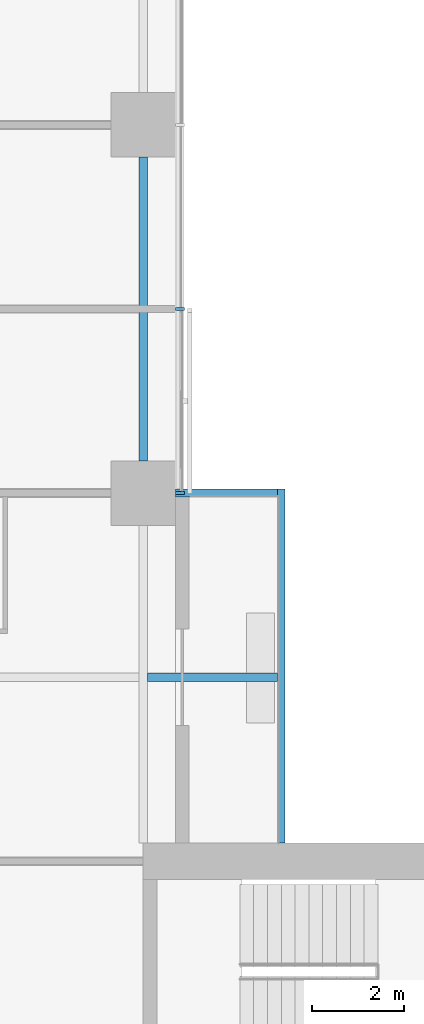
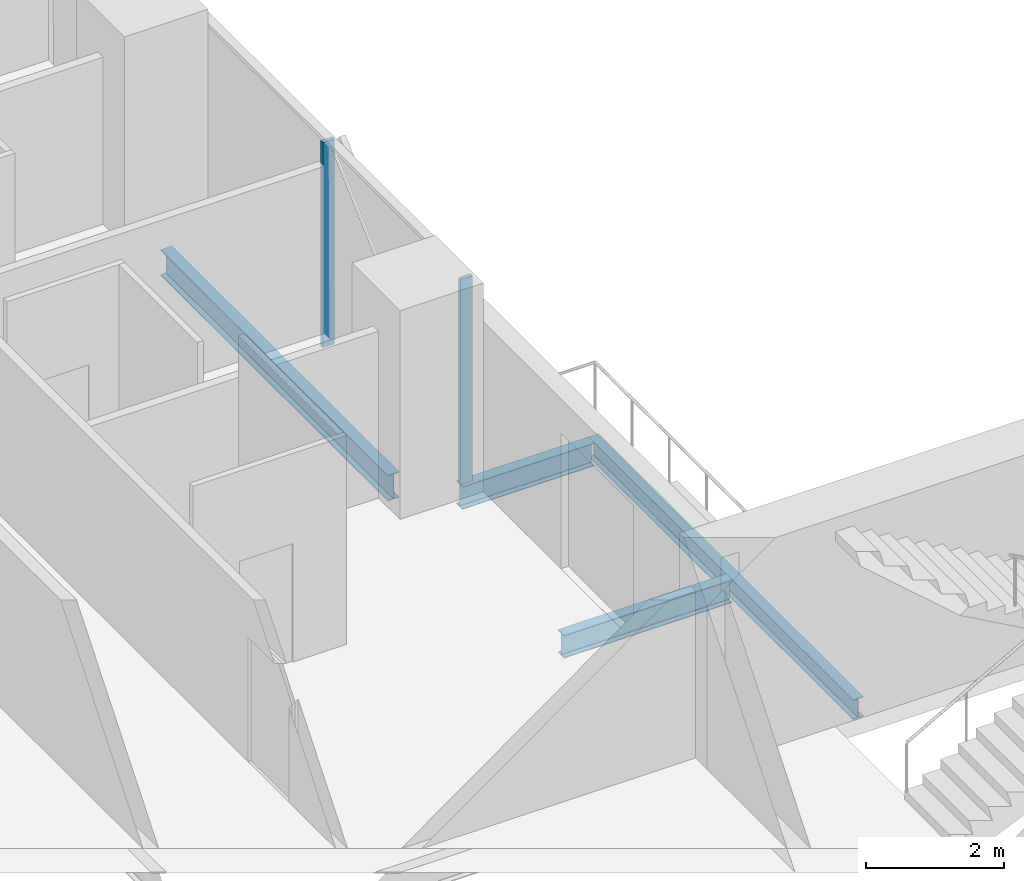
# One storey, part 10 of 29: 4 beams, 2 members, 1 element without a shape of its own.
"""IFC4 building model written with IfcOpenShell, lengths in metres."""

from ifc_helpers import new_model, si_unit, direction, frame, origin, origin_2d, place, context, subcontext, project, spatial, rectangle, i_section, extrude, material, material_profile, profile_set, type_object, element, aggregate, save


model = new_model("IFC4")

# Units and contexts
model_context = context("Model", 3, precision=1e-05, world=origin(), true_north=direction((0.0, 1.0)))
body_context = subcontext(model_context, "Body", "Model", "MODEL_VIEW")
ifc_project = project(units=[si_unit("LENGTHUNIT", "METRE"), si_unit("AREAUNIT", "SQUARE_METRE"), si_unit("VOLUMEUNIT", "CUBIC_METRE"), si_unit("PLANEANGLEUNIT", "RADIAN"), si_unit("MASSUNIT", "GRAM", prefix="KILO")], contexts=[model_context])

# Site, building, storey
site_placement = place(None, origin())
site = spatial("IfcSite", under=ifc_project, at=site_placement, CompositionType="ELEMENT")
building_placement = place(site_placement, origin())
building = spatial("IfcBuilding", under=site, at=building_placement, Name="Crosswind Convention Tower", CompositionType="ELEMENT")
storey_placement = place(building_placement, frame((0.0, 0.0, 57.199951171875)))
storey = spatial("IfcBuildingStorey", under=building, at=storey_placement, Name="L08", CompositionType="ELEMENT", Elevation=57.199951171875)

# Beams
ifc_material_1 = material(Name="Steel S355", Category="steel")
ifc_material_profile_1 = material_profile(ifc_material_1, i_section(OverallWidth=0.177734375, OverallDepth=0.406494140625, WebThickness=0.0078125, FlangeThickness=0.0126953125, FilletRadius=0.01025390625, at=origin_2d()), Name="UB 406x178x60")
ifc_profile_set_1 = profile_set([ifc_material_profile_1], Name="Steel S355")
beam_type_1 = type_object("IfcBeamType", Name="Balcony cantilever UB 406x178x60", PredefinedType="BEAM", material=ifc_profile_set_1)
beam_1_placement = place(storey_placement, frame((137.09521484375, 116.0, -0.483154296875), z_axis=(1.0, 0.0, 0.0), x_axis=(0.0, 1.0, 0.0)))
element("IfcBeam", 1, at=beam_1_placement, inside=storey, type_object=beam_type_1, Name="B35 L08 balcony cantilever NE 1", PredefinedType="BEAM", context=body_context, shape_type="SweptSolid", body=[
    extrude(i_section(OverallWidth=0.177734375, OverallDepth=0.406494140625, WebThickness=0.0078125, FlangeThickness=0.0126953125, FilletRadius=0.01025390625, at=origin_2d()), origin(), (0.0, 0.0, 1.0), 2.8193359375),
])
beam_2_placement = place(storey_placement, frame((137.699951171875, 120.0, -0.483154296875), z_axis=(1.0, 0.0, 0.0), x_axis=(0.0, 1.0, 0.0)))
element("IfcBeam", 2, at=beam_2_placement, inside=storey, type_object=beam_type_1, Name="B35 L08 balcony cantilever NE 2", PredefinedType="BEAM", context=body_context, shape_type="SweptSolid", body=[
    extrude(i_section(OverallWidth=0.177734375, OverallDepth=0.406494140625, WebThickness=0.0078125, FlangeThickness=0.0126953125, FilletRadius=0.01025390625, at=origin_2d()), origin(), (0.0, 0.0, 1.0), 2.214599609375),
])
ifc_material_profile_2 = material_profile(ifc_material_1, i_section(OverallWidth=0.1708984375, OverallDepth=0.35205078125, WebThickness=0.0068359375, FlangeThickness=0.009765625, FilletRadius=0.01025390625, at=origin_2d()), Name="UB 356x171x45")
ifc_profile_set_2 = profile_set([ifc_material_profile_2], Name="Steel S355")
beam_type_2 = type_object("IfcBeamType", Name="Balcony edge beam UB 356x171x45", PredefinedType="BEAM", material=ifc_profile_set_2)
beam_3_placement = place(storey_placement, frame((140.0, 112.39990234375, -0.4560546875), z_axis=(0.0, 1.0, 0.0), x_axis=(-1.0, 0.0, 0.0)))
element("IfcBeam", 3, at=beam_3_placement, inside=storey, type_object=beam_type_2, Name="B37 L08 balcony edge beam NE 3", PredefinedType="BEAM", context=body_context, shape_type="SweptSolid", body=[
    extrude(i_section(OverallWidth=0.1708984375, OverallDepth=0.35205078125, WebThickness=0.0068359375, FlangeThickness=0.009765625, FilletRadius=0.01025390625, at=origin_2d()), origin(), (0.0, 0.0, 1.0), 7.68896484375),
])
ifc_material_profile_3 = material_profile(ifc_material_1, i_section(OverallWidth=0.1904296875, OverallDepth=0.457275390625, WebThickness=0.009033203125, FlangeThickness=0.014404296875, FilletRadius=0.01025390625, at=origin_2d()), Name="UB 457x191x75")
ifc_profile_set_3 = profile_set([ifc_material_profile_3], Name="Steel S355")
beam_type_3 = type_object("IfcBeamType", Name="Edge beam UB 457x191x75", PredefinedType="SPANDREL", material=ifc_profile_set_3)
beam_4_placement = place(storey_placement, frame((137.0, 120.699951171875, -0.508544921875), z_axis=(0.0, 1.0, 0.0), x_axis=(-1.0, 0.0, 0.0)))
element("IfcBeam", 4, at=beam_4_placement, inside=storey, type_object=beam_type_3, Name="B17 L08 edge beam 22", PredefinedType="SPANDREL", context=body_context, shape_type="SweptSolid", body=[
    extrude(i_section(OverallWidth=0.1904296875, OverallDepth=0.457275390625, WebThickness=0.009033203125, FlangeThickness=0.014404296875, FilletRadius=0.01025390625, at=origin_2d()), origin(), (0.0, 0.0, 1.0), 6.60009765625),
])

# Curtain wall, members
ifc_material_2 = material(Name="Aluminium unitised curtain wall", Category="aluminium")
curtain_wall_type = type_object("IfcCurtainWallType", Name="HOTEL UNITISED WALL 200", PredefinedType="USERDEFINED", material=ifc_material_2)
curtain_wall_placement = place(storey_placement, origin())
curtain_wall = element("IfcCurtainWall", 5, at=curtain_wall_placement, inside=storey, type_object=curtain_wall_type, Name="CW2 L08 N-E 1", ObjectType="UNITISED", PredefinedType="USERDEFINED")
ifc_material_3 = material(Name="Aluminium mullion", Category="aluminium")
ifc_material_profile_4 = material_profile(ifc_material_3, rectangle(XDim=0.199951171875, YDim=0.06494140625, at=origin_2d()), Name="AL 200X65")
ifc_profile_set_4 = profile_set([ifc_material_profile_4], Name="Aluminium mullion")
member_type = type_object("IfcMemberType", Name="MULLION 65X200", PredefinedType="MULLION", material=ifc_profile_set_4)
member_1_placement = place(storey_placement, frame((137.800048828125, 120.0, -0.280029296875), z_axis=(0.0, 0.0, 1.0), x_axis=(1.0, 0.0, 0.0)))
member_1 = element("IfcMember", 6, at=member_1_placement, type_object=member_type, Name="CW2 mullion 1", PredefinedType="MULLION", context=body_context, shape_type="SweptSolid", body=[
    extrude(rectangle(XDim=0.199951171875, YDim=0.06494140625, at=origin_2d()), origin(), (0.0, 0.0, 1.0), 3.635009765625),
])
member_2_placement = place(storey_placement, frame((137.800048828125, 124.0, -0.280029296875), z_axis=(0.0, 0.0, 1.0), x_axis=(1.0, 0.0, 0.0)))
member_2 = element("IfcMember", 7, at=member_2_placement, type_object=member_type, Name="CW2 mullion 2", PredefinedType="MULLION", context=body_context, shape_type="SweptSolid", body=[
    extrude(rectangle(XDim=0.199951171875, YDim=0.06494140625, at=origin_2d()), origin(), (0.0, 0.0, 1.0), 3.635009765625),
])
aggregate(curtain_wall, [member_1, member_2])

save(model, "model.ifc")
